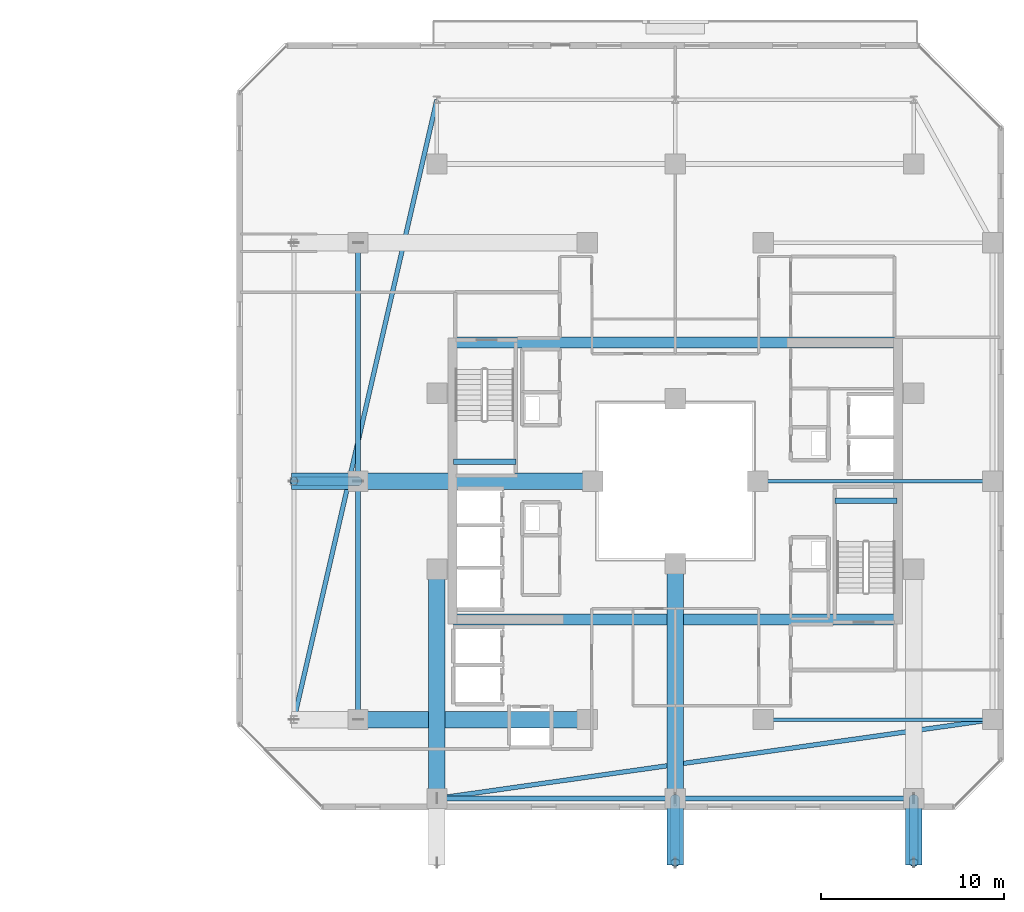
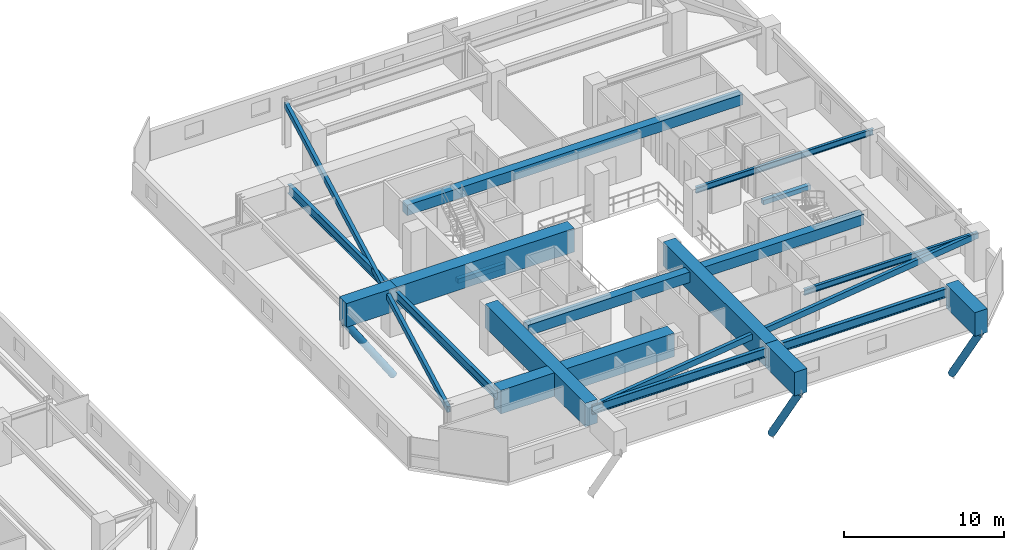
# One storey, part 13 of 36: 19 beams, 3 members.
"""IFC4 building model written with IfcOpenShell, lengths in metres."""

from ifc_helpers import new_model, si_unit, direction, frame, origin, origin_2d, place, context, subcontext, project, spatial, rectangle, hollow_rectangle, hollow_circle, i_section, extrude, material, material_profile, profile_set, type_object, element, save


model = new_model("IFC4")

# Units and contexts
model_context = context("Model", 3, precision=1e-05, world=origin(), true_north=direction((0.0, 1.0)))
body_context = subcontext(model_context, "Body", "Model", "MODEL_VIEW")
ifc_project = project(units=[si_unit("LENGTHUNIT", "METRE"), si_unit("AREAUNIT", "SQUARE_METRE"), si_unit("VOLUMEUNIT", "CUBIC_METRE"), si_unit("PLANEANGLEUNIT", "RADIAN"), si_unit("MASSUNIT", "GRAM", prefix="KILO")], contexts=[model_context])

# Site, building, storey
site_placement = place(None, origin())
site = spatial("IfcSite", under=ifc_project, at=site_placement, CompositionType="ELEMENT")
building_placement = place(site_placement, origin())
building = spatial("IfcBuilding", under=site, at=building_placement, Name="Thornwick Lancets Civic Towers", CompositionType="ELEMENT")
storey_placement = place(building_placement, frame((0.0, 0.0, 196.5)))
storey = spatial("IfcBuildingStorey", under=building, at=storey_placement, Name="L52", CompositionType="ELEMENT", Elevation=196.5)

# Beams
ifc_material_1 = material(Name="Concrete C60/75", Category="concrete")
ifc_material_profile_1 = material_profile(ifc_material_1, rectangle(XDim=0.60009765625, YDim=0.800048828125, at=origin_2d()), Name="RC 600x800")
ifc_profile_set_1 = profile_set([ifc_material_profile_1], Name="Concrete C60/75")
beam_type_1 = type_object("IfcBeamType", Name="BM_COUP_RC800", PredefinedType="BEAM", material=ifc_profile_set_1)
for number, where, z_axis, x_axis, name in (
    (1, (76.39990234375, 34.550048828125, 2.93994140625), (1.0, 0.0, 0.0), (0.0, 1.0, 0.0), "CB-L52-B1"),
    (2, (76.39990234375, 19.449951171875, 2.93994140625), (1.0, 0.0, 0.0), (0.0, 1.0, 0.0), "CB-L52-B2"),
):
    element("IfcBeam", number, at=place(storey_placement, frame(where, z_axis=z_axis, x_axis=x_axis)), inside=storey, type_object=beam_type_1, Name=name, PredefinedType="BEAM", context=body_context, shape_type="SweptSolid", body=[
        extrude(rectangle(XDim=0.60009765625, YDim=0.800048828125, at=origin_2d()), origin(), (0.0, 0.0, 1.0), 24.2001953125),
    ])
ifc_material_2 = material(Name="Steel S355JR", Category="steel")
ifc_material_profile_2 = material_profile(ifc_material_2, i_section(OverallWidth=0.255859375, OverallDepth=0.69287109375, WebThickness=0.014404296875, FlangeThickness=0.023681640625, FilletRadius=0.01513671875, at=origin_2d()), Name="UKB 686x254x170")
ifc_profile_set_2 = profile_set([ifc_material_profile_2], Name="Steel S355JR")
beam_type_2 = type_object("IfcBeamType", Name="BM_GIRD_686_170", PredefinedType="BEAM", material=ifc_profile_set_2)
beam_1_placement = place(storey_placement, frame((71.199951171875, 14.0, 2.993408203125), z_axis=(0.0, 1.0, 0.0), x_axis=(-1.0, 0.0, 0.0)))
element("IfcBeam", 3, at=beam_1_placement, inside=storey, type_object=beam_type_2, Name="BM-SPINE-L52-B-6-7", PredefinedType="BEAM", context=body_context, shape_type="SweptSolid", body=[
    extrude(i_section(OverallWidth=0.255859375, OverallDepth=0.69287109375, WebThickness=0.014404296875, FlangeThickness=0.023681640625, FilletRadius=0.01513671875, at=origin_2d()), origin(), (0.0, 0.0, 1.0), 13.0),
])
beam_2_placement = place(storey_placement, frame((71.199951171875, 27.080078125, 2.993408203125), z_axis=(0.0, 1.0, 0.0), x_axis=(-1.0, 0.0, 0.0)))
element("IfcBeam", 4, at=beam_2_placement, inside=storey, type_object=beam_type_2, Name="BM-SPINE-L52-B-7-8", PredefinedType="BEAM", context=body_context, shape_type="SweptSolid", body=[
    extrude(i_section(OverallWidth=0.255859375, OverallDepth=0.69287109375, WebThickness=0.014404296875, FlangeThickness=0.023681640625, FilletRadius=0.01513671875, at=origin_2d()), origin(), (0.0, 0.0, 1.0), 12.919921875),
])
beam_3_placement = place(storey_placement, frame((101.5, 9.699951171875, 2.993408203125), z_axis=(-1.0, 0.0, 0.0), x_axis=(0.0, -1.0, 0.0)))
element("IfcBeam", 5, at=beam_3_placement, inside=storey, type_object=beam_type_2, Name="BM-SPINE-L52-B-9-10", PredefinedType="BEAM", context=body_context, shape_type="SweptSolid", body=[
    extrude(i_section(OverallWidth=0.255859375, OverallDepth=0.69287109375, WebThickness=0.014404296875, FlangeThickness=0.023681640625, FilletRadius=0.01513671875, at=origin_2d()), origin(), (0.0, 0.0, 1.0), 13.0),
])
beam_4_placement = place(storey_placement, frame((88.419921875, 9.699951171875, 2.993408203125), z_axis=(-1.0, 0.0, 0.0), x_axis=(0.0, -1.0, 0.0)))
element("IfcBeam", 6, at=beam_4_placement, inside=storey, type_object=beam_type_2, Name="BM-SPINE-L52-B-10-11", PredefinedType="BEAM", context=body_context, shape_type="SweptSolid", body=[
    extrude(i_section(OverallWidth=0.255859375, OverallDepth=0.69287109375, WebThickness=0.014404296875, FlangeThickness=0.023681640625, FilletRadius=0.01513671875, at=origin_2d()), origin(), (0.0, 0.0, 1.0), 12.919921875),
])
ifc_material_profile_3 = material_profile(ifc_material_2, i_section(OverallWidth=0.19189453125, OverallDepth=0.46337890625, WebThickness=0.010498046875, FlangeThickness=0.017578125, FilletRadius=0.01025390625, at=origin_2d()), Name="UKB 457x191x89")
ifc_profile_set_3 = profile_set([ifc_material_profile_3], Name="Steel S355JR")
beam_type_3 = type_object("IfcBeamType", Name="BM_JOIST_457_89", PredefinedType="JOIST", material=ifc_profile_set_3)
beam_5_placement = place(storey_placement, frame((93.300048828125, 14.0, 3.1083984375), z_axis=(1.0, 0.0, 0.0), x_axis=(0.0, 1.0, 0.0)))
element("IfcBeam", 7, at=beam_5_placement, inside=storey, type_object=beam_type_3, Name="BM-RADIN-L52-B01", PredefinedType="JOIST", context=body_context, shape_type="SweptSolid", body=[
    extrude(i_section(OverallWidth=0.19189453125, OverallDepth=0.46337890625, WebThickness=0.010498046875, FlangeThickness=0.017578125, FilletRadius=0.01025390625, at=origin_2d()), origin(), (0.0, 0.0, 1.0), 12.5),
])
beam_6_placement = place(storey_placement, frame((93.0, 27.0, 3.1083984375), z_axis=(1.0, 0.0, 0.0), x_axis=(0.0, 1.0, 0.0)))
element("IfcBeam", 8, at=beam_6_placement, inside=storey, type_object=beam_type_3, Name="BM-RADIN-L52-B02", PredefinedType="JOIST", context=body_context, shape_type="SweptSolid", body=[
    extrude(i_section(OverallWidth=0.19189453125, OverallDepth=0.46337890625, WebThickness=0.010498046875, FlangeThickness=0.017578125, FilletRadius=0.01025390625, at=origin_2d()), origin(), (0.0, 0.0, 1.0), 12.800048828125),
])
ifc_material_profile_4 = material_profile(ifc_material_2, hollow_rectangle(XDim=0.25, YDim=0.449951171875, WallThickness=0.01611328125, at=origin_2d()), Name="RHS 450x250x16")
ifc_profile_set_4 = profile_set([ifc_material_profile_4], Name="Steel S355JR")
beam_type_4 = type_object("IfcBeamType", Name="BM_RING_RHS450", PredefinedType="BEAM", material=ifc_profile_set_4)
beam_7_placement = place(storey_placement, frame((75.5, 47.800048828125, 3.114990234375), z_axis=(-0.224860534737, -0.974390958454, 0.0), x_axis=(0.974390958454, -0.224860534737, 0.0)))
element("IfcBeam", 9, at=beam_7_placement, inside=storey, type_object=beam_type_4, Name="BM-CHAMF-L52-B-C1", PredefinedType="BEAM", context=body_context, shape_type="SweptSolid", body=[
    extrude(hollow_rectangle(XDim=0.25, YDim=0.449951171875, WallThickness=0.01611328125, at=origin_2d()), origin(), (0.0, 0.0, 1.0), 34.6884765625),
])
beam_8_placement = place(storey_placement, frame((75.5, 9.699951171875, 3.114990234375), z_axis=(0.990079584012, 0.140507712682, 0.0), x_axis=(-0.140507712682, 0.990079584012, 0.0)))
element("IfcBeam", 10, at=beam_8_placement, inside=storey, type_object=beam_type_4, Name="BM-CHAMF-L52-B-C3", PredefinedType="BEAM", context=body_context, shape_type="SweptSolid", body=[
    extrude(hollow_rectangle(XDim=0.25, YDim=0.449951171875, WallThickness=0.01611328125, at=origin_2d()), origin(), (0.0, 0.0, 1.0), 30.603759765625),
])
ifc_material_3 = material(Name="Concrete C40/50", Category="concrete")
ifc_material_profile_5 = material_profile(ifc_material_3, rectangle(XDim=0.300048828125, YDim=0.35009765625, at=origin_2d()), Name="RC 300x350")
ifc_profile_set_5 = profile_set([ifc_material_profile_5], Name="Concrete C40/50")
beam_type_5 = type_object("IfcBeamType", Name="BM_STAIR_LDG", PredefinedType="BEAM", material=ifc_profile_set_5)
for number, where, z_axis, x_axis, name in (
    (11, (100.60009765625, 25.93505859375, 1.3779296875), (-1.0, 0.0, 0.0), (0.0, -1.0, 0.0), "L52 ST-B1 Landing Support Beam 1"),
    (12, (76.39990234375, 28.06494140625, 1.3779296875), (1.0, 0.0, 0.0), (0.0, 1.0, 0.0), "L52 ST-B2 Landing Support Beam 1"),
):
    element("IfcBeam", number, at=place(storey_placement, frame(where, z_axis=z_axis, x_axis=x_axis)), inside=storey, type_object=beam_type_5, Name=name, PredefinedType="BEAM", context=body_context, shape_type="SweptSolid", body=[
        extrude(rectangle(XDim=0.300048828125, YDim=0.35009765625, at=origin_2d()), origin(), (0.0, 0.0, 1.0), 3.400146484375),
    ])
ifc_material_profile_6 = material_profile(ifc_material_1, rectangle(XDim=0.89990234375, YDim=1.800048828125, at=origin_2d()), Name="RC 900x1800")
ifc_profile_set_6 = profile_set([ifc_material_profile_6], Name="Concrete C60/75")
beam_type_6 = type_object("IfcBeamType", Name="BM_TR_RC1800", PredefinedType="BEAM", material=ifc_profile_set_6)
beam_9_placement = place(storey_placement, frame((83.699951171875, 14.0, 2.699951171875), z_axis=(-1.0, 0.0, 0.0), x_axis=(0.0, -1.0, 0.0)))
element("IfcBeam", 13, at=beam_9_placement, inside=storey, type_object=beam_type_6, Name="TG-BACK-L53-B07", PredefinedType="BEAM", context=body_context, shape_type="SweptSolid", body=[
    extrude(rectangle(XDim=0.89990234375, YDim=1.800048828125, at=origin_2d()), origin(), (0.0, 0.0, 1.0), 12.5),
])
beam_10_placement = place(storey_placement, frame((84.0, 27.0, 2.699951171875), z_axis=(-1.0, 0.0, 0.0), x_axis=(0.0, -1.0, 0.0)))
element("IfcBeam", 14, at=beam_10_placement, inside=storey, type_object=beam_type_6, Name="TG-BACK-L53-B08", PredefinedType="BEAM", context=body_context, shape_type="SweptSolid", body=[
    extrude(rectangle(XDim=0.89990234375, YDim=1.800048828125, at=origin_2d()), origin(), (0.0, 0.0, 1.0), 12.800048828125),
])
for number, where, z_axis, x_axis, name in (
    (15, (71.199951171875, 27.0, 2.699951171875), (-1.0, 0.0, 0.0), (0.0, -1.0, 0.0), "TG-CANT-L53-B08"),
    (16, (101.5, 9.699951171875, 2.699951171875), (0.0, -1.0, 0.0), (1.0, 0.0, 0.0), "TG-CANT-L53-B10"),
):
    element("IfcBeam", number, at=place(storey_placement, frame(where, z_axis=z_axis, x_axis=x_axis)), inside=storey, type_object=beam_type_6, Name=name, PredefinedType="BEAM", context=body_context, shape_type="SweptSolid", body=[
        extrude(rectangle(XDim=0.89990234375, YDim=1.800048828125, at=origin_2d()), origin(), (0.0, 0.0, 1.0), 3.619873046875),
    ])
beam_11_placement = place(storey_placement, frame((88.5, 22.5, 2.699951171875), z_axis=(0.0, -1.0, 0.0), x_axis=(1.0, 0.0, 0.0)))
element("IfcBeam", 17, at=beam_11_placement, inside=storey, type_object=beam_type_6, Name="TG-BACK-L53-B11", PredefinedType="BEAM", context=body_context, shape_type="SweptSolid", body=[
    extrude(rectangle(XDim=0.89990234375, YDim=1.800048828125, at=origin_2d()), origin(), (0.0, 0.0, 1.0), 12.800048828125),
])
beam_12_placement = place(storey_placement, frame((88.5, 9.699951171875, 2.699951171875), z_axis=(0.0, -1.0, 0.0), x_axis=(1.0, 0.0, 0.0)))
element("IfcBeam", 18, at=beam_12_placement, inside=storey, type_object=beam_type_6, Name="TG-CANT-L53-B11", PredefinedType="BEAM", context=body_context, shape_type="SweptSolid", body=[
    extrude(rectangle(XDim=0.89990234375, YDim=1.800048828125, at=origin_2d()), origin(), (0.0, 0.0, 1.0), 3.619873046875),
])
beam_13_placement = place(storey_placement, frame((75.5, 22.199951171875, 2.699951171875), z_axis=(0.0, -1.0, 0.0), x_axis=(1.0, 0.0, 0.0)))
element("IfcBeam", 19, at=beam_13_placement, inside=storey, type_object=beam_type_6, Name="TG-BACK-L53-B12", PredefinedType="BEAM", context=body_context, shape_type="SweptSolid", body=[
    extrude(rectangle(XDim=0.89990234375, YDim=1.800048828125, at=origin_2d()), origin(), (0.0, 0.0, 1.0), 12.5),
])

# Members
ifc_material_4 = material(Name="Steel S460M", Category="steel")
ifc_material_profile_7 = material_profile(ifc_material_4, hollow_circle(Radius=0.25390625, WallThickness=0.02490234375, at=origin_2d()), Name="CHS 508x25")
ifc_profile_set_7 = profile_set([ifc_material_profile_7], Name="Steel S460M")
member_type = type_object("IfcMemberType", Name="MEM_STRUT_CHS508", PredefinedType="STRUT", material=ifc_profile_set_7)
for number, where, z_axis, x_axis, name in (
    (20, (71.199951171875, 27.0, -3.35009765625), (-0.556167580628, 0.0, 0.831070166868), (0.0, -1.0, 0.0), "L53 Jenga Transfer Raking Strut B08"),
    (21, (101.5, 9.699951171875, -3.35009765625), (0.0, -0.556167580628, 0.831070166868), (1.0, 0.0, 0.0), "L53 Jenga Transfer Raking Strut B10"),
    (22, (88.5, 9.699951171875, -3.35009765625), (0.0, -0.556167580628, 0.831070166868), (1.0, 0.0, 0.0), "L53 Jenga Transfer Raking Strut B11"),
):
    element("IfcMember", number, at=place(storey_placement, frame(where, z_axis=z_axis, x_axis=x_axis)), inside=storey, type_object=member_type, Name=name, PredefinedType="STRUT", context=body_context, shape_type="SweptSolid", body=[
        extrude(hollow_circle(Radius=0.25390625, WallThickness=0.02490234375, at=origin_2d()), origin(), (0.0, 0.0, 1.0), 6.29296875),
    ])

save(model, "model.ifc")
